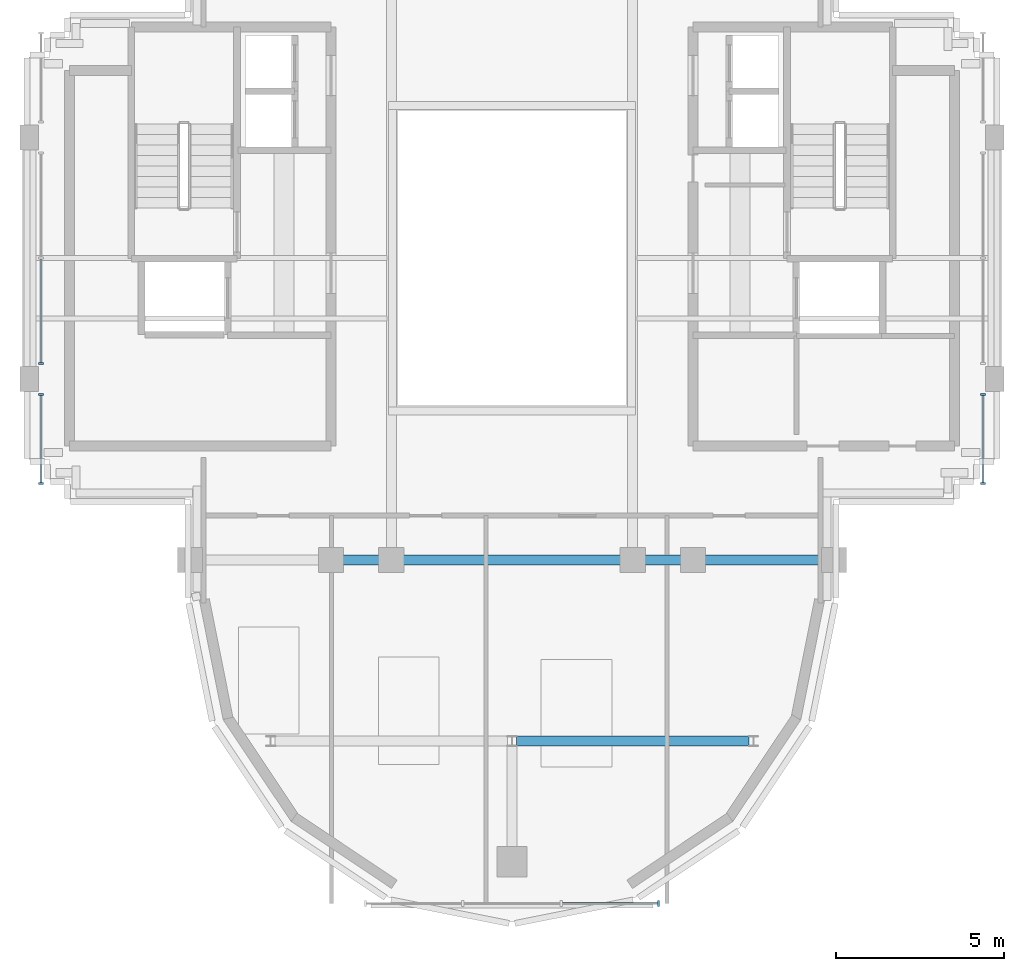
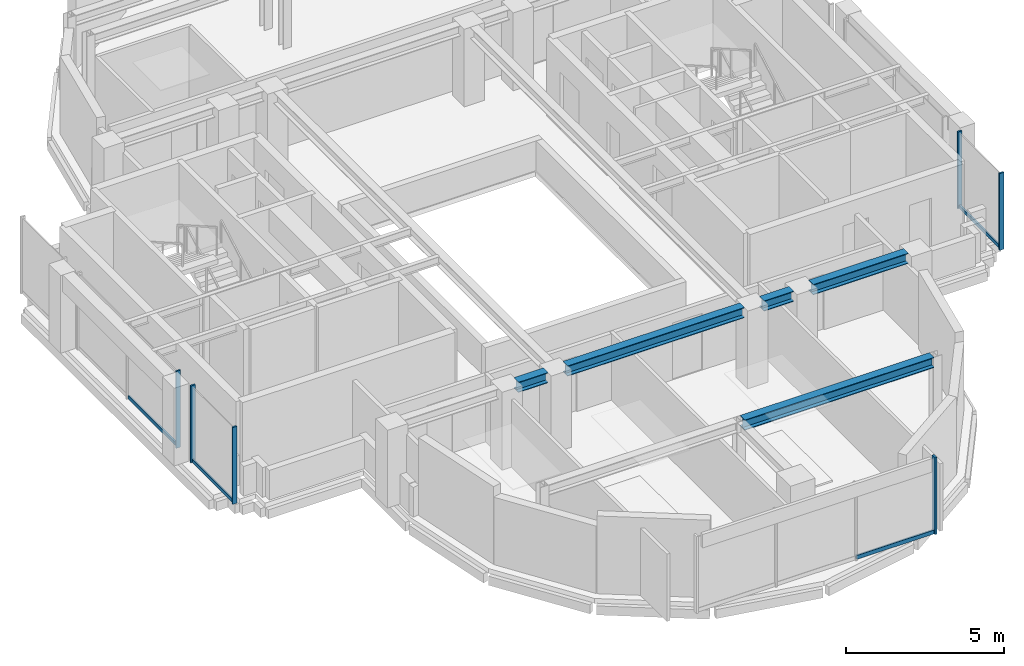
# One storey, part 3 of 10: 10 members, 5 beams, 4 elements without a shape of their own.
"""IFC4 building model written with IfcOpenShell, lengths in metres."""

from ifc_helpers import new_model, si_unit, direction, frame, origin, origin_2d, place, context, subcontext, project, spatial, rectangle, i_section, extrude, source, transform, mapped, material, material_profile, profile_set, type_object, element, aggregate, save


model = new_model("IFC4")

# Units and contexts
model_context = context("Model", 3, precision=1e-05, world=origin(), true_north=direction((0.0, 1.0)))
body_context = subcontext(model_context, "Body", "Model", "MODEL_VIEW")
ifc_project = project(units=[si_unit("LENGTHUNIT", "METRE"), si_unit("AREAUNIT", "SQUARE_METRE"), si_unit("VOLUMEUNIT", "CUBIC_METRE"), si_unit("PLANEANGLEUNIT", "RADIAN"), si_unit("MASSUNIT", "GRAM", prefix="KILO")], contexts=[model_context])

# Site, building, storey
site_placement = place(None, origin())
site = spatial("IfcSite", under=ifc_project, at=site_placement, CompositionType="ELEMENT")
building_placement = place(site_placement, origin())
building = spatial("IfcBuilding", under=site, at=building_placement, Name="Keilestroom Media Tower", CompositionType="ELEMENT")
storey_placement = place(building_placement, frame((0.0, 0.0, 262.0)))
storey = spatial("IfcBuildingStorey", under=building, at=storey_placement, Name="L73", CompositionType="ELEMENT", Elevation=262.0)

# Beams
ifc_material_1 = material(Name="Steel S355", Category="steel")
ifc_material_profile_1 = material_profile(ifc_material_1, i_section(OverallWidth=0.300048828125, OverallDepth=0.39990234375, WebThickness=0.011474609375, FlangeThickness=0.02392578125, at=origin_2d()), Name="HEB 400")
ifc_profile_set_1 = profile_set([ifc_material_profile_1], Name="Steel S355")
beam_type = type_object("IfcBeamType", Name="Primary-Structural-Girder-HEB-400", PredefinedType="BEAM", material=ifc_profile_set_1)
shared_shape_1 = source(origin(), body_context, "Body", "SweptSolid", [
    extrude(i_section(OverallWidth=0.300048828125, OverallDepth=0.39990234375, WebThickness=0.011474609375, FlangeThickness=0.02392578125, at=origin_2d()), origin(), (0.0, 0.0, 1.0), 6.940185546875),
])
beam_1_placement = place(storey_placement, frame((0.1298828125, -14.39990234375, 2.81005859375), z_axis=(1.0, 0.0, 0.0), x_axis=(0.0, 1.0, 0.0)))
element("IfcBeam", 1, at=beam_1_placement, inside=storey, type_object=beam_type, Name="L73 Beam BG-8 BM-L73-EW-002", PredefinedType="BEAM", context=body_context, shape_type="MappedRepresentation", body=[
    mapped(shared_shape_1, transform((0.0, 0.0, 0.0), x_axis=(1.0, 0.0, 0.0), y_axis=(0.0, 1.0, 0.0), z_axis=(0.0, 0.0, 1.0), scale=1.0)),
])
shared_shape_2 = source(origin(), body_context, "Body", "SweptSolid", [
    extrude(i_section(OverallWidth=0.300048828125, OverallDepth=0.39990234375, WebThickness=0.011474609375, FlangeThickness=0.02392578125, at=origin_2d()), origin(), (0.0, 0.0, 1.0), 3.490234375),
])
beam_2_placement = place(storey_placement, frame((5.7548828125, -9.0, 2.81005859375), z_axis=(1.0, 0.0, 0.0), x_axis=(0.0, 1.0, 0.0)))
element("IfcBeam", 2, at=beam_2_placement, inside=storey, type_object=beam_type, Name="L73 Beam BG-8 BM-L73-EW-007", PredefinedType="BEAM", context=body_context, shape_type="MappedRepresentation", body=[
    mapped(shared_shape_2, transform((0.0, 0.0, 0.0), x_axis=(1.0, 0.0, 0.0), y_axis=(0.0, 1.0, 0.0), z_axis=(0.0, 0.0, 1.0), scale=1.0)),
])
shared_shape_3 = source(origin(), body_context, "Body", "SweptSolid", [
    extrude(i_section(OverallWidth=0.300048828125, OverallDepth=0.39990234375, WebThickness=0.011474609375, FlangeThickness=0.02392578125, at=origin_2d()), origin(), (0.0, 0.0, 1.0), 1.08984375),
])
for number, where, z_axis, x_axis, name in (
    (3, (-5.044921875, -9.0, 2.81005859375), (1.0, 0.0, 0.0), (0.0, 1.0, 0.0), "L73 Beam BG-8 BM-L73-EW-004"),
    (4, (3.955078125, -9.0, 2.81005859375), (1.0, 0.0, 0.0), (0.0, 1.0, 0.0), "L73 Beam BG-8 BM-L73-EW-006"),
):
    element("IfcBeam", number, at=place(storey_placement, frame(where, z_axis=z_axis, x_axis=x_axis)), inside=storey, type_object=beam_type, Name=name, PredefinedType="BEAM", context=body_context, shape_type="MappedRepresentation", body=[
        mapped(shared_shape_3, transform((0.0, 0.0, 0.0), x_axis=(1.0, 0.0, 0.0), y_axis=(0.0, 1.0, 0.0), z_axis=(0.0, 0.0, 1.0), scale=1.0)),
    ])
shared_shape_4 = source(origin(), body_context, "Body", "SweptSolid", [
    extrude(i_section(OverallWidth=0.300048828125, OverallDepth=0.39990234375, WebThickness=0.011474609375, FlangeThickness=0.02392578125, at=origin_2d()), origin(), (0.0, 0.0, 1.0), 6.490234375),
])
beam_3_placement = place(storey_placement, frame((-3.2451171875, -9.0, 2.81005859375), z_axis=(1.0, 0.0, 0.0), x_axis=(0.0, 1.0, 0.0)))
element("IfcBeam", 5, at=beam_3_placement, inside=storey, type_object=beam_type, Name="L73 Beam BG-8 BM-L73-EW-005", PredefinedType="BEAM", context=body_context, shape_type="MappedRepresentation", body=[
    mapped(shared_shape_4, transform((0.0, 0.0, 0.0), x_axis=(1.0, 0.0, 0.0), y_axis=(0.0, 1.0, 0.0), z_axis=(0.0, 0.0, 1.0), scale=1.0)),
])

# Curtain wall, members
ifc_material_2 = material(Name="Anodised Aluminium Alloy", Category="aluminium")
curtain_wall_type_1 = type_object("IfcCurtainWallType", Name="Unitised-Curtain-Wall-CW-6", PredefinedType="NOTDEFINED", material=ifc_material_2)
curtain_wall_1_placement = place(storey_placement, origin())
curtain_wall_1 = element("IfcCurtainWall", 6, at=curtain_wall_1_placement, inside=storey, type_object=curtain_wall_type_1, Name="L73 Curtain Wall CW-6 CW-L73-LS-1", PredefinedType="NOTDEFINED")
ifc_material_profile_2 = material_profile(ifc_material_2, rectangle(XDim=0.06494140625, YDim=0.179931640625, at=origin_2d()), Name="ALU MULLION 65x180")
ifc_profile_set_2 = profile_set([ifc_material_profile_2], Name="Anodised Aluminium Alloy")
member_type_1 = type_object("IfcMemberType", Name="Curtain-Wall-Mullion-CW-6", PredefinedType="MULLION", material=ifc_profile_set_2)
shared_shape_5 = source(origin(), body_context, "Body", "SweptSolid", [
    extrude(rectangle(XDim=0.06494140625, YDim=0.179931640625, at=origin_2d()), origin(), (0.0, 0.0, 1.0), 2.97998046875),
])
member_1_placement = place(storey_placement, frame((4.367431640625, -19.25, 0.0), z_axis=(0.0, 0.0, 1.0), x_axis=(1.0, 0.0, 0.0)))
member_1 = element("IfcMember", 7, at=member_1_placement, type_object=member_type_1, Name="CW-6 Mullion 03", PredefinedType="MULLION", context=body_context, shape_type="MappedRepresentation", body=[
    mapped(shared_shape_5, transform((0.0, 0.0, 0.0), x_axis=(1.0, 0.0, 0.0), y_axis=(0.0, 1.0, 0.0), z_axis=(0.0, 0.0, 1.0), scale=1.0)),
])
ifc_material_profile_3 = material_profile(ifc_material_2, rectangle(XDim=0.06494140625, YDim=0.14990234375, at=origin_2d()), Name="ALU TRANSOM 65x150")
ifc_profile_set_3 = profile_set([ifc_material_profile_3], Name="Anodised Aluminium Alloy")
member_type_2 = type_object("IfcMemberType", Name="Curtain-Wall-Transom-CW-6", PredefinedType="USERDEFINED", material=ifc_profile_set_3)
shared_shape_6 = source(origin(), body_context, "Body", "SweptSolid", [
    extrude(rectangle(XDim=0.06494140625, YDim=0.14990234375, at=origin_2d()), origin(), (0.0, 0.0, 1.0), 2.839599609375),
])
member_2_placement = place(storey_placement, frame((1.497314453125, -19.25, 0.074951171875), z_axis=(1.0, 0.0, 0.0), x_axis=(0.0, 1.0, 0.0)))
member_2 = element("IfcMember", 8, at=member_2_placement, type_object=member_type_2, Name="CW-6 Transom 02.1", ObjectType="TRANSOM", PredefinedType="USERDEFINED", context=body_context, shape_type="MappedRepresentation", body=[
    mapped(shared_shape_6, transform((0.0, 0.0, 0.0), x_axis=(1.0, 0.0, 0.0), y_axis=(0.0, 1.0, 0.0), z_axis=(0.0, 0.0, 1.0), scale=1.0)),
])
aggregate(curtain_wall_1, [member_1, member_2])

curtain_wall_type_2 = type_object("IfcCurtainWallType", Name="Unitised-Curtain-Wall-CW-4", PredefinedType="NOTDEFINED", material=ifc_material_2)
curtain_wall_2_placement = place(storey_placement, origin())
curtain_wall_2 = element("IfcCurtainWall", 9, at=curtain_wall_2_placement, inside=storey, type_object=curtain_wall_type_2, Name="L73 Curtain Wall CW-4 CW-L73-W-1", PredefinedType="NOTDEFINED")
ifc_material_profile_4 = material_profile(ifc_material_2, rectangle(XDim=0.06005859375, YDim=0.159912109375, at=origin_2d()), Name="ALU MULLION 60x160")
ifc_profile_set_4 = profile_set([ifc_material_profile_4], Name="Anodised Aluminium Alloy")
member_type_3 = type_object("IfcMemberType", Name="Curtain-Wall-Mullion-CW-4", PredefinedType="MULLION", material=ifc_profile_set_4)
shared_shape_7 = source(origin(), body_context, "Body", "SweptSolid", [
    extrude(rectangle(XDim=0.06005859375, YDim=0.159912109375, at=origin_2d()), origin(), (0.0, 0.0, 1.0), 2.97998046875),
])
member_3_placement = place(storey_placement, frame((-14.050048828125, -6.719970703125, 0.0), z_axis=(0.0, 0.0, 1.0), x_axis=(0.0, 1.0, 0.0)))
member_3 = element("IfcMember", 10, at=member_3_placement, type_object=member_type_3, Name="CW-4 Mullion 00", PredefinedType="MULLION", context=body_context, shape_type="MappedRepresentation", body=[
    mapped(shared_shape_7, transform((0.0, 0.0, 0.0), x_axis=(1.0, 0.0, 0.0), y_axis=(0.0, 1.0, 0.0), z_axis=(0.0, 0.0, 1.0), scale=1.0)),
])
member_4_placement = place(storey_placement, frame((-14.050048828125, -4.06494140625, 0.0), z_axis=(0.0, 0.0, 1.0), x_axis=(0.0, 1.0, 0.0)))
member_4 = element("IfcMember", 11, at=member_4_placement, type_object=member_type_3, Name="CW-4 Mullion 01", PredefinedType="MULLION", context=body_context, shape_type="MappedRepresentation", body=[
    mapped(shared_shape_7, transform((0.0, 0.0, 0.0), x_axis=(1.0, 0.0, 0.0), y_axis=(0.0, 1.0, 0.0), z_axis=(0.0, 0.0, 1.0), scale=1.0)),
])

# Curtain wall, member
curtain_wall_3_placement = place(storey_placement, origin())
curtain_wall_3 = element("IfcCurtainWall", 12, at=curtain_wall_3_placement, inside=storey, type_object=curtain_wall_type_2, Name="L73 Curtain Wall CW-4 CW-L73-W-2", PredefinedType="NOTDEFINED")
member_5_placement = place(storey_placement, frame((-14.050048828125, -3.135009765625, 0.0), z_axis=(0.0, 0.0, 1.0), x_axis=(0.0, 1.0, 0.0)))
member_5 = element("IfcMember", 13, at=member_5_placement, type_object=member_type_3, Name="CW-4 Mullion 00", PredefinedType="MULLION", context=body_context, shape_type="MappedRepresentation", body=[
    mapped(shared_shape_7, transform((0.0, 0.0, 0.0), x_axis=(1.0, 0.0, 0.0), y_axis=(0.0, 1.0, 0.0), z_axis=(0.0, 0.0, 1.0), scale=1.0)),
])

# Curtain wall, members
curtain_wall_4_placement = place(storey_placement, origin())
curtain_wall_4 = element("IfcCurtainWall", 14, at=curtain_wall_4_placement, inside=storey, type_object=curtain_wall_type_2, Name="L73 Curtain Wall CW-4 CW-L73-E-1", PredefinedType="NOTDEFINED")
member_6_placement = place(storey_placement, frame((14.050048828125, -6.719970703125, 0.0), z_axis=(0.0, 0.0, 1.0), x_axis=(0.0, 1.0, 0.0)))
member_6 = element("IfcMember", 15, at=member_6_placement, type_object=member_type_3, Name="CW-4 Mullion 00", PredefinedType="MULLION", context=body_context, shape_type="MappedRepresentation", body=[
    mapped(shared_shape_7, transform((0.0, 0.0, 0.0), x_axis=(1.0, 0.0, 0.0), y_axis=(0.0, 1.0, 0.0), z_axis=(0.0, 0.0, 1.0), scale=1.0)),
])
member_7_placement = place(storey_placement, frame((14.050048828125, -4.06494140625, 0.0), z_axis=(0.0, 0.0, 1.0), x_axis=(0.0, 1.0, 0.0)))
member_7 = element("IfcMember", 16, at=member_7_placement, type_object=member_type_3, Name="CW-4 Mullion 01", PredefinedType="MULLION", context=body_context, shape_type="MappedRepresentation", body=[
    mapped(shared_shape_7, transform((0.0, 0.0, 0.0), x_axis=(1.0, 0.0, 0.0), y_axis=(0.0, 1.0, 0.0), z_axis=(0.0, 0.0, 1.0), scale=1.0)),
])

# Member
ifc_material_profile_5 = material_profile(ifc_material_2, rectangle(XDim=0.06005859375, YDim=0.1298828125, at=origin_2d()), Name="ALU TRANSOM 60x130")
ifc_profile_set_5 = profile_set([ifc_material_profile_5], Name="Anodised Aluminium Alloy")
member_type_4 = type_object("IfcMemberType", Name="Curtain-Wall-Transom-CW-4", PredefinedType="USERDEFINED", material=ifc_profile_set_5)
shared_shape_8 = source(origin(), body_context, "Body", "SweptSolid", [
    extrude(rectangle(XDim=0.06005859375, YDim=0.1298828125, at=origin_2d()), origin(), (0.0, 0.0, 1.0), 3.078857421875),
])
member_8_placement = place(storey_placement, frame((-14.050048828125, -3.10693359375, 0.06494140625), z_axis=(0.0, 1.0, 0.0), x_axis=(-1.0, 0.0, 0.0)))
member_8 = element("IfcMember", 17, at=member_8_placement, type_object=member_type_4, Name="CW-4 Transom 00.1", ObjectType="TRANSOM", PredefinedType="USERDEFINED", context=body_context, shape_type="MappedRepresentation", body=[
    mapped(shared_shape_8, transform((0.0, 0.0, 0.0), x_axis=(1.0, 0.0, 0.0), y_axis=(0.0, 1.0, 0.0), z_axis=(0.0, 0.0, 1.0), scale=1.0)),
])

aggregate(curtain_wall_3, [member_5, member_8])

shared_shape_9 = source(origin(), body_context, "Body", "SweptSolid", [
    extrude(rectangle(XDim=0.06005859375, YDim=0.1298828125, at=origin_2d()), origin(), (0.0, 0.0, 1.0), 2.598876953125),
])
member_9_placement = place(storey_placement, frame((-14.050048828125, -6.69189453125, 0.06494140625), z_axis=(0.0, 1.0, 0.0), x_axis=(-1.0, 0.0, 0.0)))
member_9 = element("IfcMember", 18, at=member_9_placement, type_object=member_type_4, Name="CW-4 Transom 00.1", ObjectType="TRANSOM", PredefinedType="USERDEFINED", context=body_context, shape_type="MappedRepresentation", body=[
    mapped(shared_shape_9, transform((0.0, 0.0, 0.0), x_axis=(1.0, 0.0, 0.0), y_axis=(0.0, 1.0, 0.0), z_axis=(0.0, 0.0, 1.0), scale=1.0)),
])

aggregate(curtain_wall_2, [member_3, member_4, member_9])

member_10_placement = place(storey_placement, frame((14.050048828125, -6.69189453125, 0.06494140625), z_axis=(0.0, 1.0, 0.0), x_axis=(-1.0, 0.0, 0.0)))
member_10 = element("IfcMember", 19, at=member_10_placement, type_object=member_type_4, Name="CW-4 Transom 00.1", ObjectType="TRANSOM", PredefinedType="USERDEFINED", context=body_context, shape_type="MappedRepresentation", body=[
    mapped(shared_shape_9, transform((0.0, 0.0, 0.0), x_axis=(1.0, 0.0, 0.0), y_axis=(0.0, 1.0, 0.0), z_axis=(0.0, 0.0, 1.0), scale=1.0)),
])

aggregate(curtain_wall_4, [member_6, member_7, member_10])

save(model, "model.ifc")
